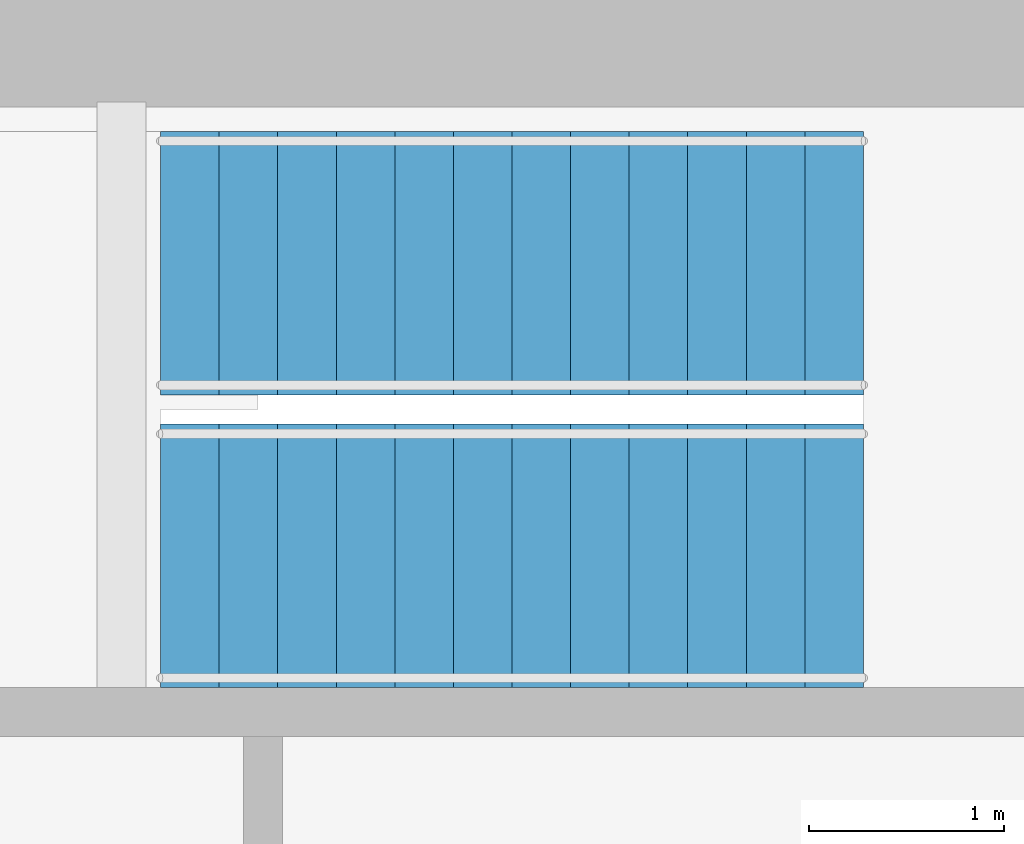
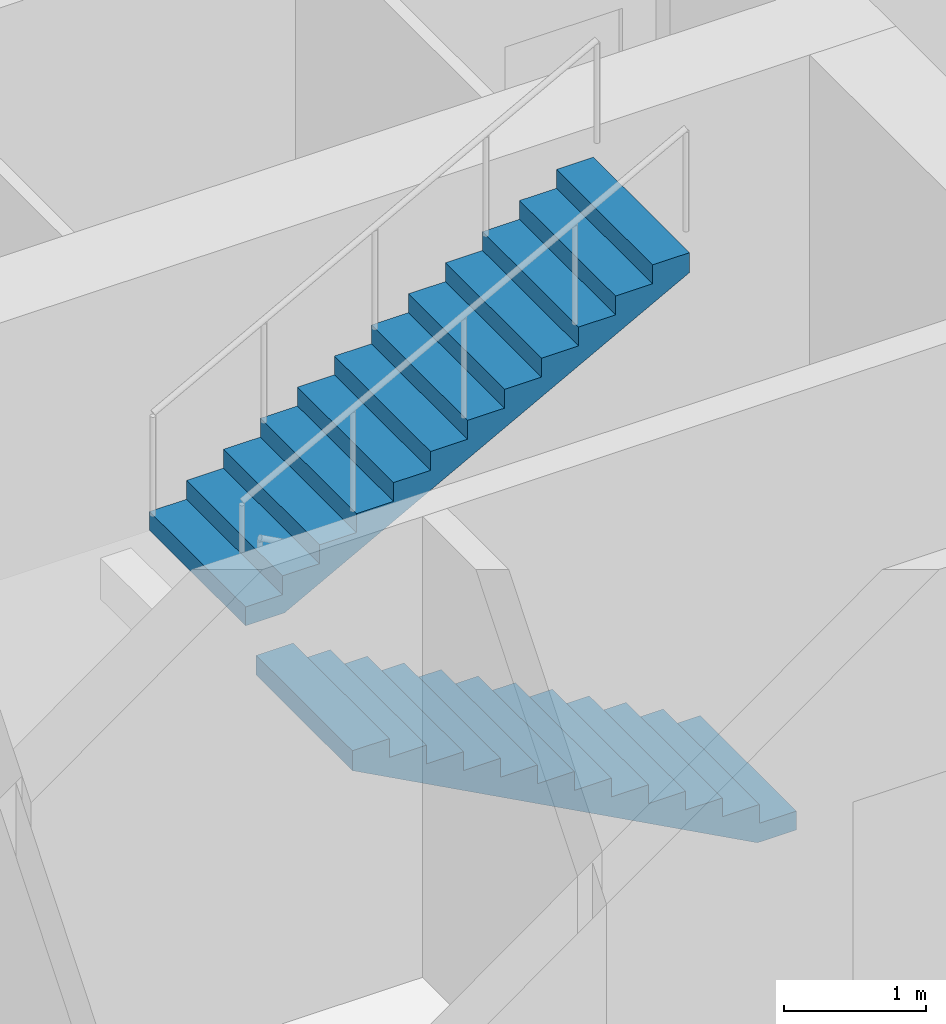
# One storey, part 10 of 12: 2 stair flights, 1 element without a shape of its own.
"""IFC4 building model written with IfcOpenShell, lengths in metres."""

from ifc_helpers import new_model, si_unit, direction, frame, origin, place, context, subcontext, project, spatial, polyline, outline, extrude, material, type_object, element, aggregate, save


model = new_model("IFC4")

# Units and contexts
model_context = context("Model", 3, precision=1e-05, world=origin(), true_north=direction((0.0, 1.0)))
body_context = subcontext(model_context, "Body", "Model", "MODEL_VIEW")
ifc_project = project(units=[si_unit("LENGTHUNIT", "METRE"), si_unit("AREAUNIT", "SQUARE_METRE"), si_unit("VOLUMEUNIT", "CUBIC_METRE"), si_unit("PLANEANGLEUNIT", "RADIAN"), si_unit("MASSUNIT", "GRAM", prefix="KILO")], contexts=[model_context])

# Site, building, storey
site_placement = place(None, origin())
site = spatial("IfcSite", under=ifc_project, at=site_placement, CompositionType="ELEMENT")
building_placement = place(site_placement, origin())
building = spatial("IfcBuilding", under=site, at=building_placement, Name="Msitu Wima Residences", CompositionType="ELEMENT")
storey_placement = place(building_placement, frame((0.0, 0.0, 166.5)))
storey = spatial("IfcBuildingStorey", under=building, at=storey_placement, Name="L38", CompositionType="ELEMENT", Elevation=166.5)

# Stair, stair flights
ifc_material = material(Name="Concrete C40/50", Category="concrete")
stair_type = type_object("IfcStairType", Name="Exit stair ES1615-135", PredefinedType="HALF_TURN_STAIR", material=ifc_material)
stair_placement = place(storey_placement, origin())
stair = element("IfcStair", 1, at=stair_placement, inside=storey, type_object=stair_type, Name="Exit stair 3", PredefinedType="HALF_TURN_STAIR")
stair_flight_type = type_object("IfcStairFlightType", Name="Exit stair flight ES1615-135", PredefinedType="STRAIGHT", material=ifc_material)
stair_flight_1_placement = place(storey_placement, frame((11.875, 9.0, 0.0), z_axis=(0.0, 0.0, 1.0), x_axis=(-1.0, 0.0, 0.0)))
stair_flight_1 = element("IfcStairFlight", 2, at=stair_flight_1_placement, type_object=stair_flight_type, Name="S3 flight 1", NumberOfRisers=13, NumberOfTreads=12, PredefinedType="STRAIGHT", RiserHeight=0.161538462, TreadLength=0.3, context=body_context, shape_type="SweptSolid", body=[
    extrude(outline(polyline([(0.0, 0.0), (0.0, 0.16162109375), (0.300048828125, 0.16162109375), (0.300048828125, 0.322998046875), (0.60009765625, 0.322998046875), (0.60009765625, 0.484619140625), (0.89990234375, 0.484619140625), (0.89990234375, 0.646240234375), (1.199951171875, 0.646240234375), (1.199951171875, 0.8076171875), (1.5, 0.8076171875), (1.5, 0.96923828125), (1.800048828125, 0.96923828125), (1.800048828125, 1.130859375), (2.10009765625, 1.130859375), (2.10009765625, 1.292236328125), (2.39990234375, 1.292236328125), (2.39990234375, 1.453857421875), (2.699951171875, 1.453857421875), (2.699951171875, 1.615478515625), (3.0, 1.615478515625), (3.0, 1.77685546875), (3.300048828125, 1.77685546875), (3.300048828125, 1.9384765625), (3.60009765625, 1.9384765625), (3.60009765625, 2.10009765625), (3.60009765625, 1.768310546875), (0.316162109375, 0.0), (0.0, 0.0)])), frame((0.0, 0.675048828125, 0.0), z_axis=(0.0, -1.0, 0.0), x_axis=(1.0, 0.0, 0.0)), (0.0, 0.0, 1.0), 1.35009765625),
])
stair_flight_2_placement = place(storey_placement, frame((8.27490234375, 10.5, 2.10009765625), z_axis=(0.0, 0.0, 1.0), x_axis=(1.0, 0.0, 0.0)))
stair_flight_2 = element("IfcStairFlight", 3, at=stair_flight_2_placement, type_object=stair_flight_type, Name="S3 flight 2", NumberOfRisers=13, NumberOfTreads=12, PredefinedType="STRAIGHT", RiserHeight=0.161538462, TreadLength=0.3, context=body_context, shape_type="SweptSolid", body=[
    extrude(outline(polyline([(0.0, 0.0), (0.0, 0.16162109375), (0.300048828125, 0.16162109375), (0.300048828125, 0.322998046875), (0.60009765625, 0.322998046875), (0.60009765625, 0.484619140625), (0.89990234375, 0.484619140625), (0.89990234375, 0.646240234375), (1.199951171875, 0.646240234375), (1.199951171875, 0.8076171875), (1.5, 0.8076171875), (1.5, 0.96923828125), (1.800048828125, 0.96923828125), (1.800048828125, 1.130859375), (2.10009765625, 1.130859375), (2.10009765625, 1.292236328125), (2.39990234375, 1.292236328125), (2.39990234375, 1.453857421875), (2.699951171875, 1.453857421875), (2.699951171875, 1.615478515625), (3.0, 1.615478515625), (3.0, 1.77685546875), (3.300048828125, 1.77685546875), (3.300048828125, 1.9384765625), (3.60009765625, 1.9384765625), (3.60009765625, 2.10009765625), (3.60009765625, 1.768310546875), (0.316162109375, 0.0), (0.0, 0.0)])), frame((0.0, 0.675048828125, 0.0), z_axis=(0.0, -1.0, 0.0), x_axis=(1.0, 0.0, 0.0)), (0.0, 0.0, 1.0), 1.35009765625),
])
aggregate(stair, [stair_flight_1, stair_flight_2])

save(model, "model.ifc")
